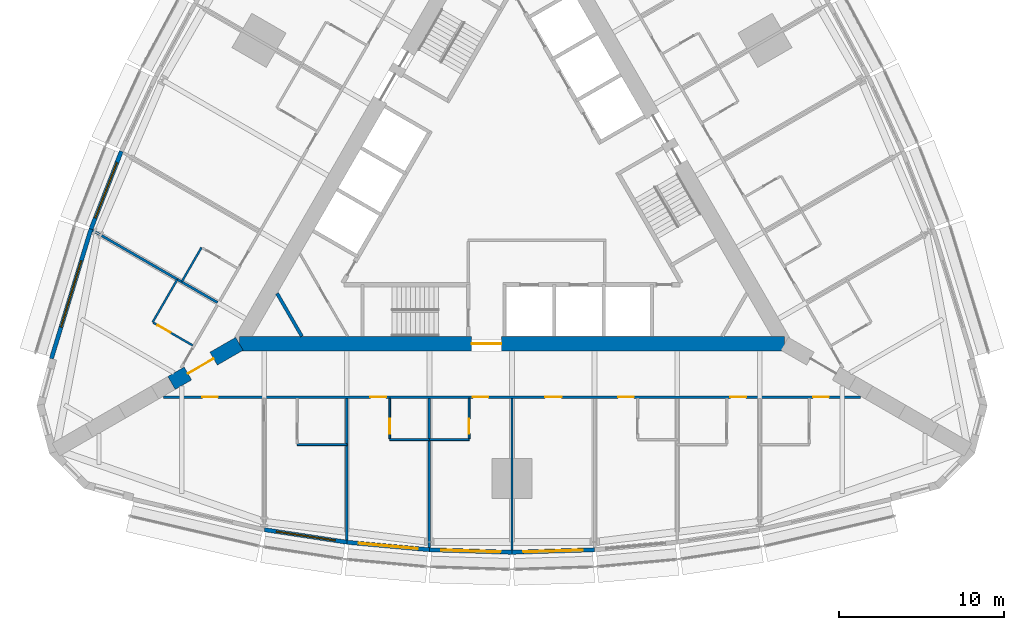
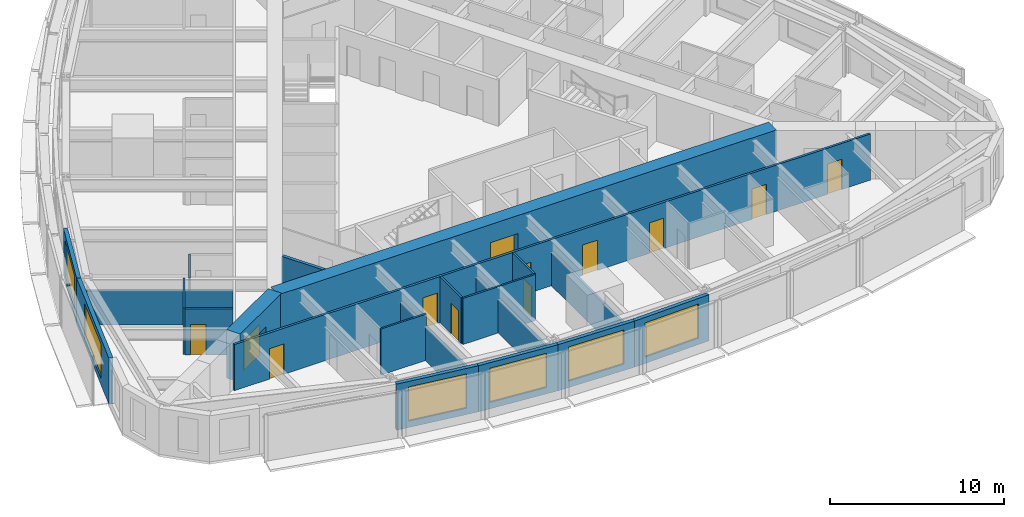
# One storey, part 8 of 14: 22 walls, 12 doors, 6 windows, 18 openings.
"""IFC4 building model written with IfcOpenShell, lengths in metres."""

from ifc_helpers import new_model, si_unit, direction, frame, frame_2d, origin, place, context, subcontext, project, spatial, rectangle, extrude, material, layer, layer_set, type_object, element, fill, save


model = new_model("IFC4")

# Units and contexts
model_context = context("Model", 3, precision=1e-05, world=origin(), true_north=direction((0.0, 1.0)))
body_context = subcontext(model_context, "Body", "Model", "MODEL_VIEW")
ifc_project = project(units=[si_unit("LENGTHUNIT", "METRE"), si_unit("AREAUNIT", "SQUARE_METRE"), si_unit("VOLUMEUNIT", "CUBIC_METRE"), si_unit("PLANEANGLEUNIT", "RADIAN"), si_unit("MASSUNIT", "GRAM", prefix="KILO")], contexts=[model_context])

# Site, building, storey
site_placement = place(None, origin())
site = spatial("IfcSite", under=ifc_project, at=site_placement, CompositionType="ELEMENT")
building_placement = place(site_placement, origin())
building = spatial("IfcBuilding", under=site, at=building_placement, Name="Trikona Tower", CompositionType="ELEMENT")
storey_placement = place(building_placement, frame((0.0, 0.0, 31.89990234375)))
storey = spatial("IfcBuildingStorey", under=building, at=storey_placement, Name="L06", CompositionType="ELEMENT", Elevation=31.89990234375)

# Walls
ifc_material_1 = material(Name="Metal stud and cement board", Category="gypsum")
ifc_layer_1 = layer(ifc_material_1, 0.1201171875)
ifc_layer_set_1 = layer_set([ifc_layer_1], Name="Bathroom wall 120")
wall_type_1 = type_object("IfcWallType", Name="Bathroom wall 120", PredefinedType="PLUMBINGWALL", material=ifc_layer_set_1)
wall_1_placement = place(storey_placement, frame((-13.0, -15.626220703125, 0.0), z_axis=(0.0, 0.0, 1.0), x_axis=(1.0, 0.0, 0.0)))
element("IfcWall", 1, at=wall_1_placement, inside=storey, type_object=wall_type_1, Name="Bathroom wall 0601.1", PredefinedType="PLUMBINGWALL", context=body_context, shape_type="SweptSolid", body=[
    extrude(rectangle(XDim=3.0, YDim=0.1201171875, at=frame_2d((1.5, 0.0))), origin(), (0.0, 0.0, 1.0), 3.235107421875),
])
wall_2_placement = place(storey_placement, frame((-7.39990234375, -15.326416015625, 0.0), z_axis=(0.0, 0.0, 1.0), x_axis=(1.0, 0.0, 0.0)))
element("IfcWall", 2, at=wall_2_placement, inside=storey, type_object=wall_type_1, Name="Bathroom wall 0602", PredefinedType="PLUMBINGWALL", context=body_context, shape_type="SweptSolid", body=[
    extrude(rectangle(XDim=2.39990234375, YDim=0.1201171875, at=frame_2d((1.199951171875, 0.0))), origin(), (0.0, 0.0, 1.0), 3.235107421875),
])

# Wall, opening, door
wall_3_placement = place(storey_placement, frame((-7.39990234375, -12.826416015625, 0.0), z_axis=(0.0, 0.0, 1.0), x_axis=(0.0, -1.0, 0.0)))
wall_3 = element("IfcWall", 3, at=wall_3_placement, inside=storey, type_object=wall_type_1, Name="Bathroom wall 0602", PredefinedType="PLUMBINGWALL", context=body_context, shape_type="SweptSolid", body=[
    extrude(rectangle(XDim=2.43994140625, YDim=0.1201171875, at=frame_2d((1.219970703125, 0.0))), origin(), (0.0, 0.0, 1.0), 3.235107421875),
])
opening_1_placement = place(wall_3_placement, frame((1.25, 0.0, 0.0)))
opening_1 = element("IfcOpeningElement", 4, at=opening_1_placement, cuts=wall_3, Name="Opening D2", PredefinedType="OPENING", context=body_context, shape_type="SweptSolid", body=[
    extrude(rectangle(XDim=0.89990234375, YDim=2.1298828125, at=frame_2d((0.449951171875, 1.06494140625))), frame((0.0, 0.070068359375, 0.0), z_axis=(0.0, -1.0, 0.0), x_axis=(1.0, 0.0, 0.0)), (0.0, 0.0, 1.0), 0.14013671875),
])
ifc_material_2 = material(Name="Steel door frame with solid-core timber leaf", Category="steel")
door_type_1 = type_object("IfcDoorType", Name="Bathroom door 900x2130", OperationType="SLIDING_TO_LEFT", PredefinedType="DOOR", material=ifc_material_2)
door_1_placement = place(opening_1_placement, origin())
door_1 = element("IfcDoor", 5, at=door_1_placement, inside=storey, type_object=door_type_1, Name="Bathroom door 0602", OperationType="SLIDING_TO_LEFT", OverallHeight=2.1298828125, OverallWidth=0.89990234375, PredefinedType="DOOR", context=body_context, shape_type="SweptSolid", body=[
    extrude(rectangle(XDim=0.89990234375, YDim=2.1298828125, at=frame_2d((0.449951171875, 1.06494140625))), frame((0.0, 0.02490234375, 0.0), z_axis=(0.0, -1.0, 0.0), x_axis=(1.0, 0.0, 0.0)), (0.0, 0.0, 1.0), 0.050048828125),
])
fill(opening_1, door_1)

# Wall
wall_4_placement = place(storey_placement, frame((-5.0, -15.326416015625, 0.0), z_axis=(0.0, 0.0, 1.0), x_axis=(1.0, 0.0, 0.0)))
element("IfcWall", 6, at=wall_4_placement, inside=storey, type_object=wall_type_1, Name="Bathroom wall 0603", PredefinedType="PLUMBINGWALL", context=body_context, shape_type="SweptSolid", body=[
    extrude(rectangle(XDim=2.39990234375, YDim=0.1201171875, at=frame_2d((1.199951171875, 0.0))), origin(), (0.0, 0.0, 1.0), 3.235107421875),
])

# Wall, opening, door
wall_5_placement = place(storey_placement, frame((-2.60009765625, -12.826416015625, 0.0), z_axis=(0.0, 0.0, 1.0), x_axis=(0.0, -1.0, 0.0)))
wall_5 = element("IfcWall", 7, at=wall_5_placement, inside=storey, type_object=wall_type_1, Name="Bathroom wall 0603", PredefinedType="PLUMBINGWALL", context=body_context, shape_type="SweptSolid", body=[
    extrude(rectangle(XDim=2.43994140625, YDim=0.1201171875, at=frame_2d((1.219970703125, 0.0))), origin(), (0.0, 0.0, 1.0), 3.235107421875),
])
opening_2_placement = place(wall_5_placement, frame((1.25, 0.0, 0.0)))
opening_2 = element("IfcOpeningElement", 8, at=opening_2_placement, cuts=wall_5, Name="Opening D2", PredefinedType="OPENING", context=body_context, shape_type="SweptSolid", body=[
    extrude(rectangle(XDim=0.89990234375, YDim=2.1298828125, at=frame_2d((0.449951171875, 1.06494140625))), frame((0.0, 0.070068359375, 0.0), z_axis=(0.0, -1.0, 0.0), x_axis=(1.0, 0.0, 0.0)), (0.0, 0.0, 1.0), 0.14013671875),
])
door_2_placement = place(opening_2_placement, origin())
door_2 = element("IfcDoor", 9, at=door_2_placement, inside=storey, type_object=door_type_1, Name="Bathroom door 0603", OperationType="SLIDING_TO_LEFT", OverallHeight=2.1298828125, OverallWidth=0.89990234375, PredefinedType="DOOR", context=body_context, shape_type="SweptSolid", body=[
    extrude(rectangle(XDim=0.89990234375, YDim=2.1298828125, at=frame_2d((0.449951171875, 1.06494140625))), frame((0.0, 0.02490234375, 0.0), z_axis=(0.0, -1.0, 0.0), x_axis=(1.0, 0.0, 0.0)), (0.0, 0.0, 1.0), 0.050048828125),
])
fill(opening_2, door_2)

# Walls
wall_6_placement = place(storey_placement, frame((-18.79345703125, -3.69873046875, 0.0), z_axis=(0.0, 0.0, 1.0), x_axis=(-0.500001309137, -0.866024647952, 0.0)))
element("IfcWall", 10, at=wall_6_placement, inside=storey, type_object=wall_type_1, Name="Bathroom wall 0617", PredefinedType="PLUMBINGWALL", context=body_context, shape_type="SweptSolid", body=[
    extrude(rectangle(XDim=2.39990234375, YDim=0.1201171875, at=frame_2d((1.199951171875, 0.0))), origin(), (0.0, 0.0, 1.0), 3.235107421875),
])
wall_7_placement = place(storey_placement, frame((-20.25341796875, -5.627197265625, 0.0), z_axis=(0.0, 0.0, 1.0), x_axis=(-0.499990139034, -0.866031096941, 0.0)))
element("IfcWall", 11, at=wall_7_placement, inside=storey, type_object=wall_type_1, Name="Bathroom wall 0618", PredefinedType="PLUMBINGWALL", context=body_context, shape_type="SweptSolid", body=[
    extrude(rectangle(XDim=3.0, YDim=0.1201171875, at=frame_2d((1.5, 0.0))), origin(), (0.0, 0.0, 1.0), 3.235107421875),
])

# Wall, opening, door
wall_8_placement = place(storey_placement, frame((-19.32861328125, -9.625244140625, 0.0), z_axis=(0.0, 0.0, 1.0), x_axis=(-0.866035715982, 0.499982138324, 0.0)))
wall_8 = element("IfcWall", 12, at=wall_8_placement, inside=storey, type_object=wall_type_1, Name="Bathroom wall 0618", PredefinedType="PLUMBINGWALL", context=body_context, shape_type="SweptSolid", body=[
    extrude(rectangle(XDim=2.73974609375, YDim=0.1201171875, at=frame_2d((1.369873046875, 0.0))), origin(), (0.0, 0.0, 1.0), 3.235107421875),
])
opening_3_placement = place(wall_8_placement, frame((1.550048828125, 0.0, 0.0)))
opening_3 = element("IfcOpeningElement", 13, at=opening_3_placement, cuts=wall_8, Name="Opening D2", PredefinedType="OPENING", context=body_context, shape_type="SweptSolid", body=[
    extrude(rectangle(XDim=0.89990234375, YDim=2.1298828125, at=frame_2d((0.449951171875, 1.06494140625))), frame((0.0, 0.070068359375, 0.0), z_axis=(0.0, -1.0, 0.0), x_axis=(1.0, 0.0, 0.0)), (0.0, 0.0, 1.0), 0.14013671875),
])
door_3_placement = place(opening_3_placement, origin())
door_3 = element("IfcDoor", 14, at=door_3_placement, inside=storey, type_object=door_type_1, Name="Bathroom door 0618", OperationType="SLIDING_TO_LEFT", OverallHeight=2.1298828125, OverallWidth=0.89990234375, PredefinedType="DOOR", context=body_context, shape_type="SweptSolid", body=[
    extrude(rectangle(XDim=0.89990234375, YDim=2.1298828125, at=frame_2d((0.449951171875, 1.06494140625))), frame((0.0, 0.02490234375, 0.0), z_axis=(0.0, -1.0, 0.0), x_axis=(1.0, 0.0, 0.0)), (0.0, 0.0, 1.0), 0.050048828125),
])
fill(opening_3, door_3)

ifc_material_3 = material(Name="Concrete f'c 10000 psi", Category="concrete")
ifc_layer_2 = layer(ifc_material_3, 0.89990234375)
ifc_layer_set_2 = layer_set([ifc_layer_2], Name="Buttress wall 900")
wall_type_2 = type_object("IfcWallType", Name="Buttress wall 900", PredefinedType="SHEAR", material=ifc_layer_set_2)
wall_9_placement = place(storey_placement, frame((-16.5, -9.5263671875, 0.0), z_axis=(0.0, 0.0, 1.0), x_axis=(-0.866031398331, -0.499989616998, 0.0)))
wall_9 = element("IfcWall", 15, at=wall_9_placement, inside=storey, type_object=wall_type_2, Name="Buttress wall 3", PredefinedType="SHEAR", context=body_context, shape_type="SweptSolid", body=[
    extrude(rectangle(XDim=4.74609375, YDim=0.89990234375, at=frame_2d((2.373046875, 0.0))), origin(), (0.0, 0.0, 1.0), 3.400146484375),
])
opening_4_placement = place(wall_9_placement, frame((1.800048828125, 0.0, 0.0)))
opening_4 = element("IfcOpeningElement", 16, at=opening_4_placement, cuts=wall_9, Name="Opening D10", PredefinedType="OPENING", context=body_context, shape_type="SweptSolid", body=[
    extrude(rectangle(XDim=1.800048828125, YDim=2.1298828125, at=frame_2d((0.89990234375, 1.06494140625))), frame((0.0, 0.4599609375, 0.0), z_axis=(0.0, -1.0, 0.0), x_axis=(1.0, 0.0, 0.0)), (0.0, 0.0, 1.0), 0.919921875),
])
ifc_material_4 = material(Name="Hollow metal door and frame", Category="steel")
door_type_2 = type_object("IfcDoorType", Name="Cross-corridor door pair 1800x2130", OperationType="DOUBLE_DOOR_DOUBLE_SWING", PredefinedType="DOOR", material=ifc_material_4)
door_4_placement = place(opening_4_placement, origin())
door_4 = element("IfcDoor", 17, at=door_4_placement, inside=storey, type_object=door_type_2, Name="Cross-corridor door 3", OperationType="DOUBLE_DOOR_DOUBLE_SWING", OverallHeight=2.1298828125, OverallWidth=1.800048828125, PredefinedType="DOOR", context=body_context, shape_type="SweptSolid", body=[
    extrude(rectangle(XDim=1.800048828125, YDim=2.1298828125, at=frame_2d((0.89990234375, 1.06494140625))), frame((0.0, 0.02490234375, 0.0), z_axis=(0.0, -1.0, 0.0), x_axis=(1.0, 0.0, 0.0)), (0.0, 0.0, 1.0), 0.050048828125),
])
fill(opening_4, door_4)

ifc_material_5 = material(Name="Concrete f'c 10000 psi", Category="concrete")
ifc_layer_3 = layer(ifc_material_5, 0.89990234375)
ifc_layer_set_3 = layer_set([ifc_layer_3], Name="Core wall 900")
wall_type_3 = type_object("IfcWallType", Name="Core wall 900", PredefinedType="SHEAR", material=ifc_layer_set_3)
wall_10_placement = place(storey_placement, frame((-16.5, -9.5263671875, 0.0), z_axis=(0.0, 0.0, 1.0), x_axis=(1.0, 0.0, 0.0)))
wall_10 = element("IfcWall", 18, at=wall_10_placement, inside=storey, type_object=wall_type_3, Name="Core wall A", PredefinedType="SHEAR", context=body_context, shape_type="SweptSolid", body=[
    extrude(rectangle(XDim=33.0, YDim=0.89990234375, at=frame_2d((16.5, 0.0))), origin(), (0.0, 0.0, 1.0), 3.400146484375),
])
opening_5_placement = place(wall_10_placement, frame((14.050048828125, 0.0, 0.0)))
opening_5 = element("IfcOpeningElement", 19, at=opening_5_placement, cuts=wall_10, Name="Opening D6", PredefinedType="OPENING", context=body_context, shape_type="SweptSolid", body=[
    extrude(rectangle(XDim=1.800048828125, YDim=2.1298828125, at=frame_2d((0.89990234375, 1.06494140625))), frame((0.0, 0.4599609375, 0.0), z_axis=(0.0, -1.0, 0.0), x_axis=(1.0, 0.0, 0.0)), (0.0, 0.0, 1.0), 0.919921875),
])
ifc_material_6 = material(Name="Hollow metal door and frame", Category="steel")
door_type_3 = type_object("IfcDoorType", Name="Lobby door pair 1800x2130", OperationType="DOUBLE_DOOR_SINGLE_SWING", PredefinedType="DOOR", material=ifc_material_6)
door_5_placement = place(opening_5_placement, origin())
door_5 = element("IfcDoor", 20, at=door_5_placement, inside=storey, type_object=door_type_3, Name="Fire service lift lobby door", OperationType="DOUBLE_DOOR_SINGLE_SWING", OverallHeight=2.1298828125, OverallWidth=1.800048828125, PredefinedType="DOOR", context=body_context, shape_type="SweptSolid", body=[
    extrude(rectangle(XDim=1.800048828125, YDim=2.1298828125, at=frame_2d((0.89990234375, 1.06494140625))), frame((0.0, 0.02490234375, 0.0), z_axis=(0.0, -1.0, 0.0), x_axis=(1.0, 0.0, 0.0)), (0.0, 0.0, 1.0), 0.050048828125),
])
fill(opening_5, door_5)

# Wall, openings, doors
ifc_material_7 = material(Name="Metal stud and gypsum board, 1-hour", Category="gypsum")
ifc_layer_4 = layer(ifc_material_7, 0.14990234375)
ifc_layer_set_4 = layer_set([ifc_layer_4], Name="Corridor wall 150")
wall_type_4 = type_object("IfcWallType", Name="Corridor wall 150", PredefinedType="PARTITIONING", material=ifc_layer_set_4)
wall_11_placement = place(storey_placement, frame((-21.0859375, -12.751220703125, 0.0), z_axis=(0.0, 0.0, 1.0), x_axis=(1.0, 0.0, 0.0)))
wall_11 = element("IfcWall", 21, at=wall_11_placement, inside=storey, type_object=wall_type_4, Name="Corridor wall L06-1", PredefinedType="PARTITIONING", context=body_context, shape_type="SweptSolid", body=[
    extrude(rectangle(XDim=42.171875, YDim=0.14990234375, at=frame_2d((21.0859375, 0.0))), origin(), (0.0, 0.0, 1.0), 3.235107421875),
])
opening_6_placement = place(wall_11_placement, frame((2.337646484375, 0.0, 0.0)))
opening_6 = element("IfcOpeningElement", 22, at=opening_6_placement, cuts=wall_11, Name="Opening D1", PredefinedType="OPENING", context=body_context, shape_type="SweptSolid", body=[
    extrude(rectangle(XDim=0.949951171875, YDim=2.1298828125, at=frame_2d((0.47509765625, 1.06494140625))), frame((0.0, 0.0849609375, 0.0), z_axis=(0.0, -1.0, 0.0), x_axis=(1.0, 0.0, 0.0)), (0.0, 0.0, 1.0), 0.169921875),
])
opening_7_placement = place(wall_11_placement, frame((12.510986328125, 0.0, 0.0)))
opening_7 = element("IfcOpeningElement", 23, at=opening_7_placement, cuts=wall_11, Name="Opening D1", PredefinedType="OPENING", context=body_context, shape_type="SweptSolid", body=[
    extrude(rectangle(XDim=0.949951171875, YDim=2.1298828125, at=frame_2d((0.47509765625, 1.06494140625))), frame((0.0, 0.0849609375, 0.0), z_axis=(0.0, -1.0, 0.0), x_axis=(1.0, 0.0, 0.0)), (0.0, 0.0, 1.0), 0.169921875),
])
opening_8_placement = place(wall_11_placement, frame((18.7109375, 0.0, 0.0)))
opening_8 = element("IfcOpeningElement", 24, at=opening_8_placement, cuts=wall_11, Name="Opening D1", PredefinedType="OPENING", context=body_context, shape_type="SweptSolid", body=[
    extrude(rectangle(XDim=0.949951171875, YDim=2.1298828125, at=frame_2d((0.47509765625, 1.06494140625))), frame((0.0, 0.0849609375, 0.0), z_axis=(0.0, -1.0, 0.0), x_axis=(1.0, 0.0, 0.0)), (0.0, 0.0, 1.0), 0.169921875),
])
opening_9_placement = place(wall_11_placement, frame((23.0859375, 0.0, 0.0)))
opening_9 = element("IfcOpeningElement", 25, at=opening_9_placement, cuts=wall_11, Name="Opening D3", PredefinedType="OPENING", context=body_context, shape_type="SweptSolid", body=[
    extrude(rectangle(XDim=1.0, YDim=2.1298828125, at=frame_2d((0.5, 1.06494140625))), frame((0.0, 0.0849609375, 0.0), z_axis=(0.0, -1.0, 0.0), x_axis=(1.0, 0.0, 0.0)), (0.0, 0.0, 1.0), 0.169921875),
])
opening_10_placement = place(wall_11_placement, frame((27.510986328125, 0.0, 0.0)))
opening_10 = element("IfcOpeningElement", 26, at=opening_10_placement, cuts=wall_11, Name="Opening D1", PredefinedType="OPENING", context=body_context, shape_type="SweptSolid", body=[
    extrude(rectangle(XDim=0.949951171875, YDim=2.1298828125, at=frame_2d((0.47509765625, 1.06494140625))), frame((0.0, 0.0849609375, 0.0), z_axis=(0.0, -1.0, 0.0), x_axis=(1.0, 0.0, 0.0)), (0.0, 0.0, 1.0), 0.169921875),
])
opening_11_placement = place(wall_11_placement, frame((34.310791015625, 0.0, 0.0)))
opening_11 = element("IfcOpeningElement", 27, at=opening_11_placement, cuts=wall_11, Name="Opening D1", PredefinedType="OPENING", context=body_context, shape_type="SweptSolid", body=[
    extrude(rectangle(XDim=0.949951171875, YDim=2.1298828125, at=frame_2d((0.47509765625, 1.06494140625))), frame((0.0, 0.0849609375, 0.0), z_axis=(0.0, -1.0, 0.0), x_axis=(1.0, 0.0, 0.0)), (0.0, 0.0, 1.0), 0.169921875),
])
opening_12_placement = place(wall_11_placement, frame((39.310791015625, 0.0, 0.0)))
opening_12 = element("IfcOpeningElement", 28, at=opening_12_placement, cuts=wall_11, Name="Opening D1", PredefinedType="OPENING", context=body_context, shape_type="SweptSolid", body=[
    extrude(rectangle(XDim=0.949951171875, YDim=2.1298828125, at=frame_2d((0.47509765625, 1.06494140625))), frame((0.0, 0.0849609375, 0.0), z_axis=(0.0, -1.0, 0.0), x_axis=(1.0, 0.0, 0.0)), (0.0, 0.0, 1.0), 0.169921875),
])
ifc_material_8 = material(Name="Steel door frame with solid-core timber leaf", Category="steel")
door_type_4 = type_object("IfcDoorType", Name="Guest room door 950x2130", OperationType="SINGLE_SWING_LEFT", PredefinedType="DOOR", material=ifc_material_8)
door_6_placement = place(opening_6_placement, origin())
door_6 = element("IfcDoor", 29, at=door_6_placement, inside=storey, type_object=door_type_4, Name="Room door 0601", OperationType="SINGLE_SWING_LEFT", OverallHeight=2.1298828125, OverallWidth=0.949951171875, PredefinedType="DOOR", context=body_context, shape_type="SweptSolid", body=[
    extrude(rectangle(XDim=0.949951171875, YDim=2.1298828125, at=frame_2d((0.47509765625, 1.06494140625))), frame((0.0, 0.02490234375, 0.0), z_axis=(0.0, -1.0, 0.0), x_axis=(1.0, 0.0, 0.0)), (0.0, 0.0, 1.0), 0.050048828125),
])
fill(opening_6, door_6)
door_7_placement = place(opening_7_placement, origin())
door_7 = element("IfcDoor", 30, at=door_7_placement, inside=storey, type_object=door_type_4, Name="Room door 0602", OperationType="SINGLE_SWING_RIGHT", OverallHeight=2.1298828125, OverallWidth=0.949951171875, PredefinedType="DOOR", context=body_context, shape_type="SweptSolid", body=[
    extrude(rectangle(XDim=0.949951171875, YDim=2.1298828125, at=frame_2d((0.47509765625, 1.06494140625))), frame((0.0, 0.02490234375, 0.0), z_axis=(0.0, -1.0, 0.0), x_axis=(1.0, 0.0, 0.0)), (0.0, 0.0, 1.0), 0.050048828125),
])
fill(opening_7, door_7)
door_8_placement = place(opening_8_placement, origin())
door_8 = element("IfcDoor", 31, at=door_8_placement, inside=storey, type_object=door_type_4, Name="Room door 0603", OperationType="SINGLE_SWING_LEFT", OverallHeight=2.1298828125, OverallWidth=0.949951171875, PredefinedType="DOOR", context=body_context, shape_type="SweptSolid", body=[
    extrude(rectangle(XDim=0.949951171875, YDim=2.1298828125, at=frame_2d((0.47509765625, 1.06494140625))), frame((0.0, 0.02490234375, 0.0), z_axis=(0.0, -1.0, 0.0), x_axis=(1.0, 0.0, 0.0)), (0.0, 0.0, 1.0), 0.050048828125),
])
fill(opening_8, door_8)
door_9_placement = place(opening_10_placement, origin())
door_9 = element("IfcDoor", 32, at=door_9_placement, inside=storey, type_object=door_type_4, Name="Room door 0604", OperationType="SINGLE_SWING_LEFT", OverallHeight=2.1298828125, OverallWidth=0.949951171875, PredefinedType="DOOR", context=body_context, shape_type="SweptSolid", body=[
    extrude(rectangle(XDim=0.949951171875, YDim=2.1298828125, at=frame_2d((0.47509765625, 1.06494140625))), frame((0.0, 0.02490234375, 0.0), z_axis=(0.0, -1.0, 0.0), x_axis=(1.0, 0.0, 0.0)), (0.0, 0.0, 1.0), 0.050048828125),
])
fill(opening_10, door_9)
door_10_placement = place(opening_11_placement, origin())
door_10 = element("IfcDoor", 33, at=door_10_placement, inside=storey, type_object=door_type_4, Name="Room door 0605", OperationType="SINGLE_SWING_RIGHT", OverallHeight=2.1298828125, OverallWidth=0.949951171875, PredefinedType="DOOR", context=body_context, shape_type="SweptSolid", body=[
    extrude(rectangle(XDim=0.949951171875, YDim=2.1298828125, at=frame_2d((0.47509765625, 1.06494140625))), frame((0.0, 0.02490234375, 0.0), z_axis=(0.0, -1.0, 0.0), x_axis=(1.0, 0.0, 0.0)), (0.0, 0.0, 1.0), 0.050048828125),
])
fill(opening_11, door_10)
door_11_placement = place(opening_12_placement, origin())
door_11 = element("IfcDoor", 34, at=door_11_placement, inside=storey, type_object=door_type_4, Name="Room door 0606", OperationType="SINGLE_SWING_RIGHT", OverallHeight=2.1298828125, OverallWidth=0.949951171875, PredefinedType="DOOR", context=body_context, shape_type="SweptSolid", body=[
    extrude(rectangle(XDim=0.949951171875, YDim=2.1298828125, at=frame_2d((0.47509765625, 1.06494140625))), frame((0.0, 0.02490234375, 0.0), z_axis=(0.0, -1.0, 0.0), x_axis=(1.0, 0.0, 0.0)), (0.0, 0.0, 1.0), 0.050048828125),
])
fill(opening_12, door_11)
ifc_material_9 = material(Name="Steel door frame with solid-core timber leaf", Category="steel")
door_type_5 = type_object("IfcDoorType", Name="Room door 1000x2130", OperationType="SINGLE_SWING_LEFT", PredefinedType="DOOR", material=ifc_material_9)
door_12_placement = place(opening_9_placement, origin())
door_12 = element("IfcDoor", 35, at=door_12_placement, inside=storey, type_object=door_type_5, Name="Door Housekeeping pantry", OperationType="SINGLE_SWING_RIGHT", OverallHeight=2.1298828125, OverallWidth=1.0, PredefinedType="DOOR", context=body_context, shape_type="SweptSolid", body=[
    extrude(rectangle(XDim=1.0, YDim=2.1298828125, at=frame_2d((0.5, 1.06494140625))), frame((0.0, 0.02490234375, 0.0), z_axis=(0.0, -1.0, 0.0), x_axis=(1.0, 0.0, 0.0)), (0.0, 0.0, 1.0), 0.050048828125),
])
fill(opening_9, door_12)

# Wall, opening, window
ifc_material_10 = material(Name="Insulated precast concrete spandrel panel", Category="concrete")
ifc_layer_5 = layer(ifc_material_10, 0.25)
ifc_layer_set_5 = layer_set([ifc_layer_5], Name="Inner skin wall 250")
wall_type_5 = type_object("IfcWallType", Name="Inner skin wall 250", PredefinedType="STANDARD", material=ifc_layer_set_5)
wall_12_placement = place(storey_placement, frame((-14.981201171875, -20.779296875, 0.0), z_axis=(0.0, 0.0, 1.0), x_axis=(0.988615403399, -0.150464561152, 0.0)))
wall_12 = element("IfcWall", 36, at=wall_12_placement, inside=storey, type_object=wall_type_5, Name="External wall L06-01", PredefinedType="STANDARD", context=body_context, shape_type="SweptSolid", body=[
    extrude(rectangle(XDim=5.0576171875, YDim=0.25, at=frame_2d((2.52880859375, 0.0))), origin(), (0.0, 0.0, 1.0), 3.235107421875),
])
opening_13_placement = place(wall_12_placement, frame((0.728759765625, 0.0, 0.449951171875)))
opening_13 = element("IfcOpeningElement", 37, at=opening_13_placement, cuts=wall_12, Name="Opening W3624", PredefinedType="OPENING", context=body_context, shape_type="SweptSolid", body=[
    extrude(rectangle(XDim=3.60009765625, YDim=2.39990234375, at=frame_2d((1.800048828125, 1.199951171875))), frame((0.0, 0.135009765625, 0.0), z_axis=(0.0, -1.0, 0.0), x_axis=(1.0, 0.0, 0.0)), (0.0, 0.0, 1.0), 0.27001953125),
])
ifc_material_11 = material(Name="Aluminium-framed double glazing", Category="aluminium")
window_type_1 = type_object("IfcWindowType", Name="Window 3600x2400", PartitioningType="SINGLE_PANEL", PredefinedType="WINDOW", material=ifc_material_11)
window_1_placement = place(opening_13_placement, origin())
window_1 = element("IfcWindow", 38, at=window_1_placement, inside=storey, type_object=window_type_1, Name="Window 0601.1", OverallHeight=2.39990234375, OverallWidth=3.60009765625, PartitioningType="SINGLE_PANEL", PredefinedType="WINDOW", context=body_context, shape_type="SweptSolid", body=[
    extrude(rectangle(XDim=3.60009765625, YDim=2.39990234375, at=frame_2d((1.800048828125, 1.199951171875))), frame((0.0, 0.030029296875, 0.0), z_axis=(0.0, -1.0, 0.0), x_axis=(1.0, 0.0, 0.0)), (0.0, 0.0, 1.0), 0.06005859375),
])
fill(opening_13, window_1)

wall_13_placement = place(storey_placement, frame((-9.988525390625, -21.539306640625, 0.0), z_axis=(0.0, 0.0, 1.0), x_axis=(0.995857256774, -0.090930325692, 0.0)))
wall_13 = element("IfcWall", 39, at=wall_13_placement, inside=storey, type_object=wall_type_5, Name="External wall L06-02", PredefinedType="STANDARD", context=body_context, shape_type="SweptSolid", body=[
    extrude(rectangle(XDim=5.020751953125, YDim=0.25, at=frame_2d((2.51025390625, 0.0))), origin(), (0.0, 0.0, 1.0), 3.235107421875),
])
opening_14_placement = place(wall_13_placement, frame((0.71044921875, 0.0, 0.449951171875)))
opening_14 = element("IfcOpeningElement", 40, at=opening_14_placement, cuts=wall_13, Name="Opening W3624", PredefinedType="OPENING", context=body_context, shape_type="SweptSolid", body=[
    extrude(rectangle(XDim=3.60009765625, YDim=2.39990234375, at=frame_2d((1.800048828125, 1.199951171875))), frame((0.0, 0.135009765625, 0.0), z_axis=(0.0, -1.0, 0.0), x_axis=(1.0, 0.0, 0.0)), (0.0, 0.0, 1.0), 0.27001953125),
])
window_2_placement = place(opening_14_placement, origin())
window_2 = element("IfcWindow", 41, at=window_2_placement, inside=storey, type_object=window_type_1, Name="Window 0602", OverallHeight=2.39990234375, OverallWidth=3.60009765625, PartitioningType="SINGLE_PANEL", PredefinedType="WINDOW", context=body_context, shape_type="SweptSolid", body=[
    extrude(rectangle(XDim=3.60009765625, YDim=2.39990234375, at=frame_2d((1.800048828125, 1.199951171875))), frame((0.0, 0.030029296875, 0.0), z_axis=(0.0, -1.0, 0.0), x_axis=(1.0, 0.0, 0.0)), (0.0, 0.0, 1.0), 0.06005859375),
])
fill(opening_14, window_2)

wall_14_placement = place(storey_placement, frame((-4.99609375, -21.99560546875, 0.0), z_axis=(0.0, 0.0, 1.0), x_axis=(0.999537635046, -0.030405856769, 0.0)))
wall_14 = element("IfcWall", 42, at=wall_14_placement, inside=storey, type_object=wall_type_5, Name="External wall L06-03", PredefinedType="STANDARD", context=body_context, shape_type="SweptSolid", body=[
    extrude(rectangle(XDim=5.002197265625, YDim=0.25, at=frame_2d((2.5009765625, 0.0))), origin(), (0.0, 0.0, 1.0), 3.235107421875),
])
opening_15_placement = place(wall_14_placement, frame((0.701171875, 0.0, 0.449951171875)))
opening_15 = element("IfcOpeningElement", 43, at=opening_15_placement, cuts=wall_14, Name="Opening W3624", PredefinedType="OPENING", context=body_context, shape_type="SweptSolid", body=[
    extrude(rectangle(XDim=3.60009765625, YDim=2.39990234375, at=frame_2d((1.800048828125, 1.199951171875))), frame((0.0, 0.135009765625, 0.0), z_axis=(0.0, -1.0, 0.0), x_axis=(1.0, 0.0, 0.0)), (0.0, 0.0, 1.0), 0.27001953125),
])
window_3_placement = place(opening_15_placement, origin())
window_3 = element("IfcWindow", 44, at=window_3_placement, inside=storey, type_object=window_type_1, Name="Window 0603", OverallHeight=2.39990234375, OverallWidth=3.60009765625, PartitioningType="SINGLE_PANEL", PredefinedType="WINDOW", context=body_context, shape_type="SweptSolid", body=[
    extrude(rectangle(XDim=3.60009765625, YDim=2.39990234375, at=frame_2d((1.800048828125, 1.199951171875))), frame((0.0, 0.030029296875, 0.0), z_axis=(0.0, -1.0, 0.0), x_axis=(1.0, 0.0, 0.0)), (0.0, 0.0, 1.0), 0.06005859375),
])
fill(opening_15, window_3)

wall_15_placement = place(storey_placement, frame((-0.00390625, -22.147705078125, 0.0), z_axis=(0.0, 0.0, 1.0), x_axis=(0.999537635046, 0.030405856769, 0.0)))
wall_15 = element("IfcWall", 45, at=wall_15_placement, inside=storey, type_object=wall_type_5, Name="External wall L06-04", PredefinedType="STANDARD", context=body_context, shape_type="SweptSolid", body=[
    extrude(rectangle(XDim=5.002197265625, YDim=0.25, at=frame_2d((2.5009765625, 0.0))), origin(), (0.0, 0.0, 1.0), 3.235107421875),
])
opening_16_placement = place(wall_15_placement, frame((0.701171875, 0.0, 0.449951171875)))
opening_16 = element("IfcOpeningElement", 46, at=opening_16_placement, cuts=wall_15, Name="Opening W3624", PredefinedType="OPENING", context=body_context, shape_type="SweptSolid", body=[
    extrude(rectangle(XDim=3.60009765625, YDim=2.39990234375, at=frame_2d((1.800048828125, 1.199951171875))), frame((0.0, 0.135009765625, 0.0), z_axis=(0.0, -1.0, 0.0), x_axis=(1.0, 0.0, 0.0)), (0.0, 0.0, 1.0), 0.27001953125),
])
window_4_placement = place(opening_16_placement, origin())
window_4 = element("IfcWindow", 47, at=window_4_placement, inside=storey, type_object=window_type_1, Name="Window L06-HKP", OverallHeight=2.39990234375, OverallWidth=3.60009765625, PartitioningType="SINGLE_PANEL", PredefinedType="WINDOW", context=body_context, shape_type="SweptSolid", body=[
    extrude(rectangle(XDim=3.60009765625, YDim=2.39990234375, at=frame_2d((1.800048828125, 1.199951171875))), frame((0.0, 0.030029296875, 0.0), z_axis=(0.0, -1.0, 0.0), x_axis=(1.0, 0.0, 0.0)), (0.0, 0.0, 1.0), 0.06005859375),
])
fill(opening_16, window_4)

wall_16_placement = place(storey_placement, frame((-23.64501953125, 2.126220703125, 0.0), z_axis=(0.0, 0.0, 1.0), x_axis=(-0.364013463868, -0.931393685894, 0.0)))
wall_16 = element("IfcWall", 48, at=wall_16_placement, inside=storey, type_object=wall_type_5, Name="External wall L06-30", PredefinedType="STANDARD", context=body_context, shape_type="SweptSolid", body=[
    extrude(rectangle(XDim=5.0576171875, YDim=0.25, at=frame_2d((2.52880859375, 0.0))), origin(), (0.0, 0.0, 1.0), 3.235107421875),
])
opening_17_placement = place(wall_16_placement, frame((0.728759765625, 0.0, 0.449951171875)))
opening_17 = element("IfcOpeningElement", 49, at=opening_17_placement, cuts=wall_16, Name="Opening W3624", PredefinedType="OPENING", context=body_context, shape_type="SweptSolid", body=[
    extrude(rectangle(XDim=3.60009765625, YDim=2.39990234375, at=frame_2d((1.800048828125, 1.199951171875))), frame((0.0, 0.135009765625, 0.0), z_axis=(0.0, -1.0, 0.0), x_axis=(1.0, 0.0, 0.0)), (0.0, 0.0, 1.0), 0.27001953125),
])
window_5_placement = place(opening_17_placement, origin())
window_5 = element("IfcWindow", 50, at=window_5_placement, inside=storey, type_object=window_type_1, Name="Window 0617", OverallHeight=2.39990234375, OverallWidth=3.60009765625, PartitioningType="SINGLE_PANEL", PredefinedType="WINDOW", context=body_context, shape_type="SweptSolid", body=[
    extrude(rectangle(XDim=3.60009765625, YDim=2.39990234375, at=frame_2d((1.800048828125, 1.199951171875))), frame((0.0, 0.030029296875, 0.0), z_axis=(0.0, -1.0, 0.0), x_axis=(1.0, 0.0, 0.0)), (0.0, 0.0, 1.0), 0.06005859375),
])
fill(opening_17, window_5)

wall_17_placement = place(storey_placement, frame((-25.48291015625, -2.575439453125, 0.0), z_axis=(0.0, 0.0, 1.0), x_axis=(-0.2919790669, -0.956424709265, 0.0)))
wall_17 = element("IfcWall", 51, at=wall_17_placement, inside=storey, type_object=wall_type_5, Name="External wall L06-31", PredefinedType="STANDARD", context=body_context, shape_type="SweptSolid", body=[
    extrude(rectangle(XDim=8.211181640625, YDim=0.25, at=frame_2d((4.10546875, 0.0))), origin(), (0.0, 0.0, 1.0), 3.235107421875),
])
opening_18_placement = place(wall_17_placement, frame((2.005615234375, 0.0, 0.449951171875)))
opening_18 = element("IfcOpeningElement", 52, at=opening_18_placement, cuts=wall_17, Name="Opening W4224", PredefinedType="OPENING", context=body_context, shape_type="SweptSolid", body=[
    extrude(rectangle(XDim=4.199951171875, YDim=2.39990234375, at=frame_2d((2.10009765625, 1.199951171875))), frame((0.0, 0.135009765625, 0.0), z_axis=(0.0, -1.0, 0.0), x_axis=(1.0, 0.0, 0.0)), (0.0, 0.0, 1.0), 0.27001953125),
])
ifc_material_12 = material(Name="Aluminium-framed double glazing", Category="aluminium")
window_type_2 = type_object("IfcWindowType", Name="Window 4200x2400", PartitioningType="SINGLE_PANEL", PredefinedType="WINDOW", material=ifc_material_12)
window_6_placement = place(opening_18_placement, origin())
window_6 = element("IfcWindow", 53, at=window_6_placement, inside=storey, type_object=window_type_2, Name="Window 0618", OverallHeight=2.39990234375, OverallWidth=4.199951171875, PartitioningType="SINGLE_PANEL", PredefinedType="WINDOW", context=body_context, shape_type="SweptSolid", body=[
    extrude(rectangle(XDim=4.199951171875, YDim=2.39990234375, at=frame_2d((2.10009765625, 1.199951171875))), frame((0.0, 0.030029296875, 0.0), z_axis=(0.0, -1.0, 0.0), x_axis=(1.0, 0.0, 0.0)), (0.0, 0.0, 1.0), 0.06005859375),
])
fill(opening_18, window_6)

# Walls
ifc_material_13 = material(Name="Metal stud and gypsum board, 1-hour acoustic", Category="gypsum")
ifc_layer_6 = layer(ifc_material_13, 0.14990234375)
ifc_layer_set_6 = layer_set([ifc_layer_6], Name="Party wall 150")
wall_type_6 = type_object("IfcWallType", Name="Party wall 150", PredefinedType="PARTITIONING", material=ifc_layer_set_6)
wall_18_placement = place(storey_placement, frame((-10.0, -12.826416015625, 0.0), z_axis=(0.0, 0.0, 1.0), x_axis=(0.0, -1.0, 0.0)))
element("IfcWall", 54, at=wall_18_placement, inside=storey, type_object=wall_type_6, Name="Partition L06 F1 u-10", PredefinedType="PARTITIONING", context=body_context, shape_type="SweptSolid", body=[
    extrude(rectangle(XDim=8.58447265625, YDim=0.14990234375, at=frame_2d((4.292236328125, 0.0))), origin(), (0.0, 0.0, 1.0), 2.389404296875),
])
wall_19_placement = place(storey_placement, frame((-5.0, -12.826416015625, 0.0), z_axis=(0.0, 0.0, 1.0), x_axis=(0.0, -1.0, 0.0)))
element("IfcWall", 55, at=wall_19_placement, inside=storey, type_object=wall_type_6, Name="Partition L06 F1 u-5", PredefinedType="PARTITIONING", context=body_context, shape_type="SweptSolid", body=[
    extrude(rectangle(XDim=9.04296875, YDim=0.14990234375, at=frame_2d((4.521484375, 0.0))), origin(), (0.0, 0.0, 1.0), 2.389404296875),
])
wall_20_placement = place(storey_placement, frame((0.0, -12.826416015625, 0.0), z_axis=(0.0, 0.0, 1.0), x_axis=(0.0, -1.0, 0.0)))
element("IfcWall", 56, at=wall_20_placement, inside=storey, type_object=wall_type_6, Name="Partition L06 F1 u-1.03538e-30", PredefinedType="PARTITIONING", context=body_context, shape_type="SweptSolid", body=[
    extrude(rectangle(XDim=9.196044921875, YDim=0.14990234375, at=frame_2d((4.59814453125, 0.0))), origin(), (0.0, 0.0, 1.0), 2.389404296875),
])
wall_21_placement = place(storey_placement, frame((-17.82861328125, -7.027099609375, 0.0), z_axis=(0.0, 0.0, 1.0), x_axis=(-0.866032659912, 0.499987431809, 0.0)))
element("IfcWall", 57, at=wall_21_placement, inside=storey, type_object=wall_type_6, Name="Partition L06 F3 u15", PredefinedType="PARTITIONING", context=body_context, shape_type="SweptSolid", body=[
    extrude(rectangle(XDim=8.719970703125, YDim=0.14990234375, at=frame_2d((4.35986328125, 0.0))), origin(), (0.0, 0.0, 1.0), 2.389404296875),
])
ifc_material_14 = material(Name="Concrete f'c 8000 psi", Category="concrete")
ifc_layer_7 = layer(ifc_material_14, 0.199951171875)
ifc_layer_set_7 = layer_set([ifc_layer_7], Name="Shaft wall 200")
wall_type_7 = type_object("IfcWallType", Name="Shaft wall 200", PredefinedType="SOLIDWALL", material=ifc_layer_set_7)
wall_22_placement = place(storey_placement, frame((-12.718505859375, -9.076416015625, 0.0), z_axis=(0.0, 0.0, 1.0), x_axis=(-0.499952404951, 0.866052881055, 0.0)))
element("IfcWall", 58, at=wall_22_placement, inside=storey, type_object=wall_type_7, Name="Riser wall L06-RS3", PredefinedType="SOLIDWALL", context=body_context, shape_type="SweptSolid", body=[
    extrude(rectangle(XDim=3.002197265625, YDim=0.199951171875, at=frame_2d((1.5009765625, 0.0))), origin(), (0.0, 0.0, 1.0), 3.235107421875),
])

save(model, "model.ifc")
